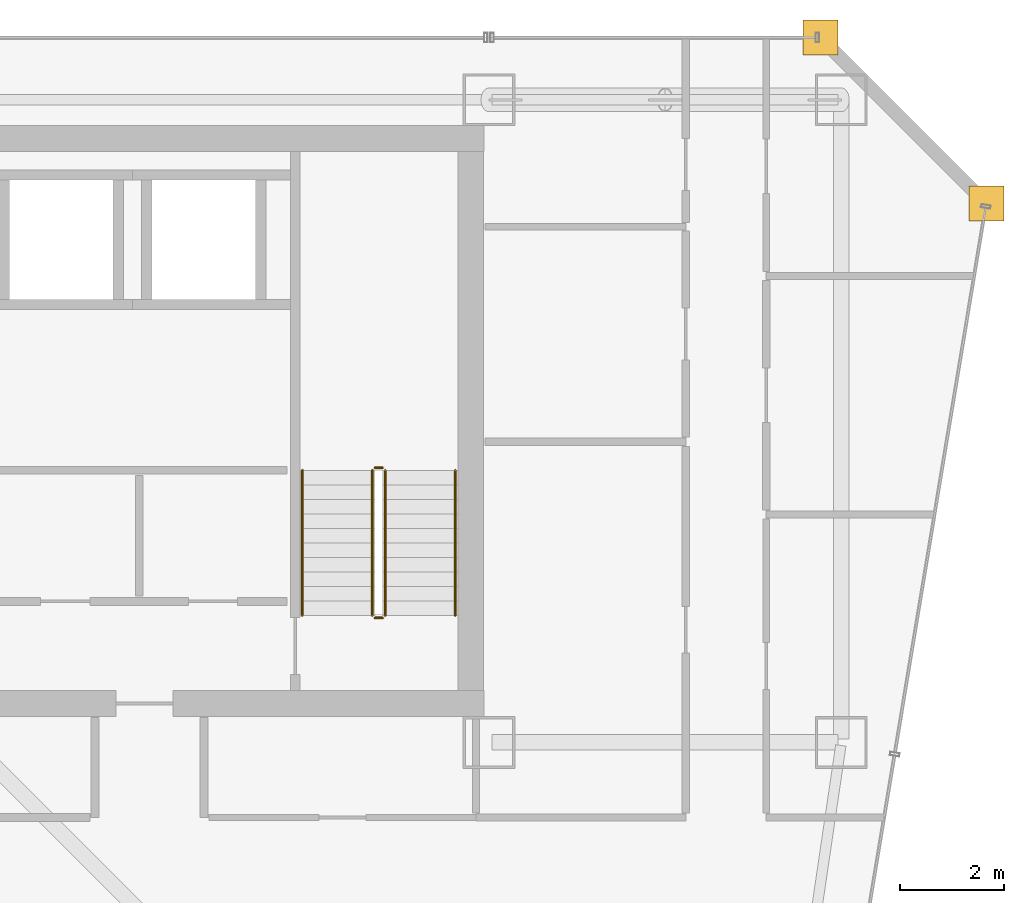
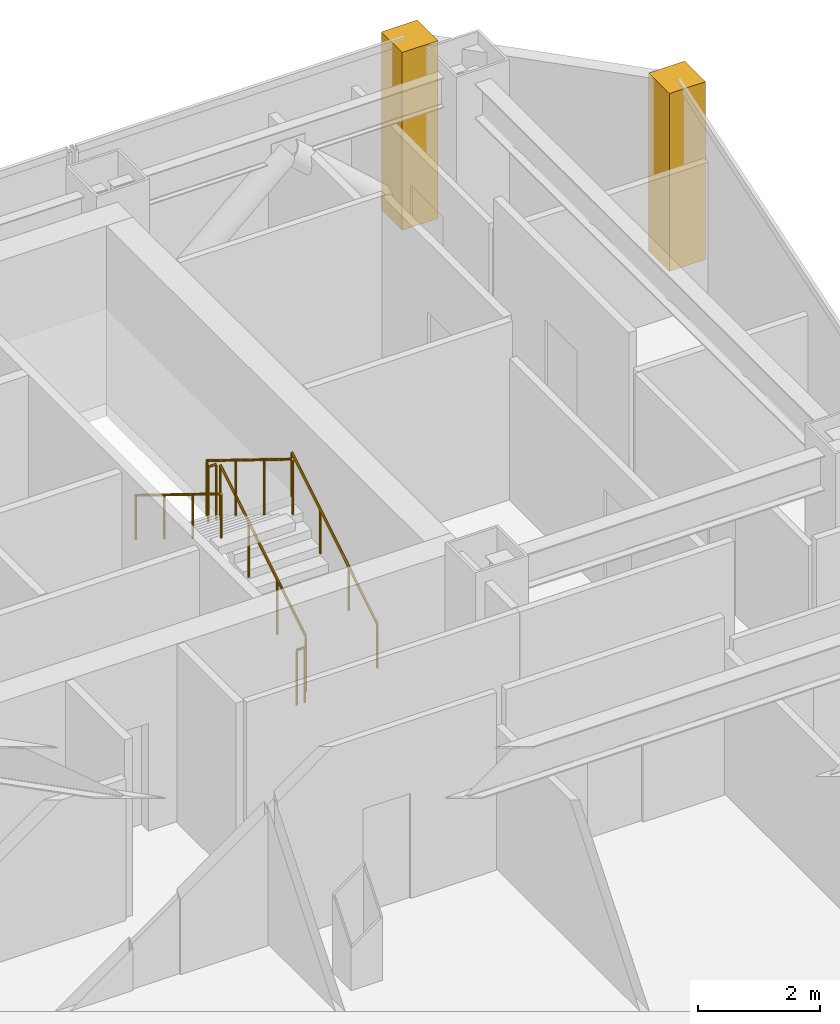
# One storey, part 37 of 37: 6 railings, 2 coverings.
"""IFC4 building model written with IfcOpenShell, lengths in metres."""

from ifc_helpers import new_model, si_unit, direction, frame, origin, origin_2d, place, context, subcontext, project, spatial, polyline, circle, outline, extrude, material, layer, layer_set, type_object, element, save


model = new_model("IFC4")

# Units and contexts
model_context = context("Model", 3, precision=1e-05, world=origin(), true_north=direction((0.0, 1.0)))
body_context = subcontext(model_context, "Body", "Model", "MODEL_VIEW")
ifc_project = project(units=[si_unit("LENGTHUNIT", "METRE"), si_unit("AREAUNIT", "SQUARE_METRE"), si_unit("VOLUMEUNIT", "CUBIC_METRE"), si_unit("PLANEANGLEUNIT", "RADIAN"), si_unit("MASSUNIT", "GRAM", prefix="KILO")], contexts=[model_context])

# Site, building, storey
site_placement = place(None, origin())
site = spatial("IfcSite", under=ifc_project, at=site_placement, CompositionType="ELEMENT")
building_placement = place(site_placement, origin())
building = spatial("IfcBuilding", under=site, at=building_placement, Name="Saevonmaru Cultural Tower", CompositionType="ELEMENT")
storey_placement = place(building_placement, frame((0.0, 0.0, 141.0)))
storey = spatial("IfcBuildingStorey", under=building, at=storey_placement, Name="L30", CompositionType="ELEMENT", Elevation=141.0)

# Coverings
ifc_material_1 = material(Name="Satin Bronze Anodised Aluminium", Category="aluminium")
ifc_layer = layer(ifc_material_1, 0.679931640625, Name="Satin Bronze Anodised Aluminium")
ifc_layer_set = layer_set([ifc_layer], Name="Satin Bronze Anodised Aluminium")
covering_type = type_object("IfcCoveringType", Name="CV-CORNER-CLAD", PredefinedType="CLADDING", material=ifc_layer_set)
covering_1_placement = place(storey_placement, origin())
element("IfcCovering", 1, at=covering_1_placement, inside=storey, type_object=covering_type, Name="L30 Tower Bronze Corner Cladding Pier 9", PredefinedType="CLADDING", context=body_context, shape_type="SweptSolid", body=[
    extrude(outline(polyline([(55.659912109375, 52.4599609375), (56.340087890625, 52.4599609375), (56.340087890625, 53.139892578125), (55.659912109375, 53.139892578125), (55.659912109375, 52.4599609375)])), origin(), (0.0, 0.0, 1.0), 3.550048828125),
])
covering_2_placement = place(storey_placement, origin())
element("IfcCovering", 2, at=covering_2_placement, inside=storey, type_object=covering_type, Name="L30 Tower Bronze Corner Cladding Pier 10", PredefinedType="CLADDING", context=body_context, shape_type="SweptSolid", body=[
    extrude(outline(polyline([(52.4599609375, 55.659912109375), (53.139892578125, 55.659912109375), (53.139892578125, 56.340087890625), (52.4599609375, 56.340087890625), (52.4599609375, 55.659912109375)])), origin(), (0.0, 0.0, 1.0), 3.550048828125),
])

# Railings
ifc_material_2 = material(Name="Architectural Painted Steel", Category="steel")
railing_type_1 = type_object("IfcRailingType", Name="RL-STAIR-GUARD", PredefinedType="GUARDRAIL", material=ifc_material_2)
railing_1_placement = place(storey_placement, frame((44.39990234375, 44.85009765625, 0.172607421875)))
element("IfcRailing", 3, at=railing_1_placement, inside=storey, type_object=railing_type_1, Name="L30 ST-2 stair guard 1", PredefinedType="GUARDRAIL", context=body_context, shape_type="SweptSolid", body=[
    extrude(circle(Radius=0.02392578125, at=origin_2d()), frame((0.0, 0.0, 1.09619140625), z_axis=(0.0, 0.851069175582, 0.525053576669), x_axis=(-1.0, 0.0, 0.0)), (0.0, 0.0, 1.0), 3.289794921875),
    extrude(circle(Radius=0.02099609375, at=origin_2d()), origin(), (0.0, 0.0, 1.0), 1.072021484375),
    extrude(circle(Radius=0.02099609375, at=origin_2d()), frame((0.0, 0.933349609375, 0.57568359375)), (0.0, 0.0, 1.0), 1.072021484375),
    extrude(circle(Radius=0.02099609375, at=origin_2d()), frame((0.0, 1.866455078125, 1.151611328125)), (0.0, 0.0, 1.0), 1.072021484375),
    extrude(circle(Radius=0.02099609375, at=origin_2d()), frame((0.0, 2.7998046875, 1.727294921875)), (0.0, 0.0, 1.0), 1.072021484375),
])
railing_2_placement = place(storey_placement, frame((44.35009765625, 47.699951171875, 1.89990234375)))
element("IfcRailing", 4, at=railing_2_placement, inside=storey, type_object=railing_type_1, Name="L30 ST-2 stair guard 2", PredefinedType="GUARDRAIL", context=body_context, shape_type="SweptSolid", body=[
    extrude(circle(Radius=0.02392578125, at=origin_2d()), frame((0.0, 0.0, 1.09619140625), z_axis=(-1.0, 0.0, 0.0), x_axis=(0.0, -1.0, 0.0)), (0.0, 0.0, 1.0), 0.150146484375),
    extrude(circle(Radius=0.02099609375, at=origin_2d()), origin(), (0.0, 0.0, 1.0), 1.072021484375),
    extrude(circle(Radius=0.02099609375, at=origin_2d()), frame((-0.150146484375, 0.0, 0.0)), (0.0, 0.0, 1.0), 1.072021484375),
])
railing_3_placement = place(storey_placement, frame((44.14990234375, 47.64990234375, 2.07275390625)))
element("IfcRailing", 5, at=railing_3_placement, inside=storey, type_object=railing_type_1, Name="L30 ST-2 stair guard 3", PredefinedType="GUARDRAIL", context=body_context, shape_type="SweptSolid", body=[
    extrude(circle(Radius=0.02392578125, at=origin_2d()), frame((0.0, 0.0, 1.09619140625), z_axis=(0.0, -0.851069175582, 0.525053576669), x_axis=(1.0, 0.0, 0.0)), (0.0, 0.0, 1.0), 3.289794921875),
    extrude(circle(Radius=0.02099609375, at=origin_2d()), origin(), (0.0, 0.0, 1.0), 1.072021484375),
    extrude(circle(Radius=0.02099609375, at=origin_2d()), frame((0.0, -0.933349609375, 0.57568359375)), (0.0, 0.0, 1.0), 1.072021484375),
    extrude(circle(Radius=0.02099609375, at=origin_2d()), frame((0.0, -1.866455078125, 1.151611328125)), (0.0, 0.0, 1.0), 1.072021484375),
    extrude(circle(Radius=0.02099609375, at=origin_2d()), frame((0.0, -2.7998046875, 1.727294921875)), (0.0, 0.0, 1.0), 1.072021484375),
])
railing_4_placement = place(storey_placement, frame((44.35009765625, 44.800048828125, 0.0)))
element("IfcRailing", 6, at=railing_4_placement, inside=storey, type_object=railing_type_1, Name="L30 ST-2 stair guard 4", PredefinedType="GUARDRAIL", context=body_context, shape_type="SweptSolid", body=[
    extrude(circle(Radius=0.02392578125, at=origin_2d()), frame((0.0, 0.0, 1.09619140625), z_axis=(-1.0, 0.0, 0.0), x_axis=(0.0, -1.0, 0.0)), (0.0, 0.0, 1.0), 0.150146484375),
    extrude(circle(Radius=0.02099609375, at=origin_2d()), origin(), (0.0, 0.0, 1.0), 1.072021484375),
    extrude(circle(Radius=0.02099609375, at=origin_2d()), frame((-0.150146484375, 0.0, 0.0)), (0.0, 0.0, 1.0), 1.072021484375),
])
railing_type_2 = type_object("IfcRailingType", Name="RL-STAIR-HANDRAIL", PredefinedType="HANDRAIL", material=ifc_material_1)
railing_5_placement = place(storey_placement, frame((45.75, 44.85009765625, 0.172607421875)))
element("IfcRailing", 7, at=railing_5_placement, inside=storey, type_object=railing_type_2, Name="L30 ST-2 stair handrail 1", PredefinedType="HANDRAIL", context=body_context, shape_type="SweptSolid", body=[
    extrude(circle(Radius=0.02392578125, at=origin_2d()), frame((0.0, 0.0, 0.8759765625), z_axis=(0.0, 0.851069175582, 0.525053576669), x_axis=(-1.0, 0.0, 0.0)), (0.0, 0.0, 1.0), 3.289794921875),
    extrude(circle(Radius=0.02099609375, at=origin_2d()), origin(), (0.0, 0.0, 1.0), 0.851806640625),
    extrude(circle(Radius=0.02099609375, at=origin_2d()), frame((0.0, 0.933349609375, 0.57568359375)), (0.0, 0.0, 1.0), 0.851806640625),
    extrude(circle(Radius=0.02099609375, at=origin_2d()), frame((0.0, 1.866455078125, 1.151611328125)), (0.0, 0.0, 1.0), 0.851806640625),
    extrude(circle(Radius=0.02099609375, at=origin_2d()), frame((0.0, 2.7998046875, 1.727294921875)), (0.0, 0.0, 1.0), 0.851806640625),
])
railing_6_placement = place(storey_placement, frame((42.800048828125, 47.64990234375, 2.07275390625)))
element("IfcRailing", 8, at=railing_6_placement, inside=storey, type_object=railing_type_2, Name="L30 ST-2 stair handrail 2", PredefinedType="HANDRAIL", context=body_context, shape_type="SweptSolid", body=[
    extrude(circle(Radius=0.02392578125, at=origin_2d()), frame((0.0, 0.0, 0.8759765625), z_axis=(0.0, -0.851069175582, 0.525053576669), x_axis=(1.0, 0.0, 0.0)), (0.0, 0.0, 1.0), 3.289794921875),
    extrude(circle(Radius=0.02099609375, at=origin_2d()), origin(), (0.0, 0.0, 1.0), 0.851806640625),
    extrude(circle(Radius=0.02099609375, at=origin_2d()), frame((0.0, -0.933349609375, 0.57568359375)), (0.0, 0.0, 1.0), 0.851806640625),
    extrude(circle(Radius=0.02099609375, at=origin_2d()), frame((0.0, -1.866455078125, 1.151611328125)), (0.0, 0.0, 1.0), 0.851806640625),
    extrude(circle(Radius=0.02099609375, at=origin_2d()), frame((0.0, -2.7998046875, 1.727294921875)), (0.0, 0.0, 1.0), 0.851806640625),
])

save(model, "model.ifc")
